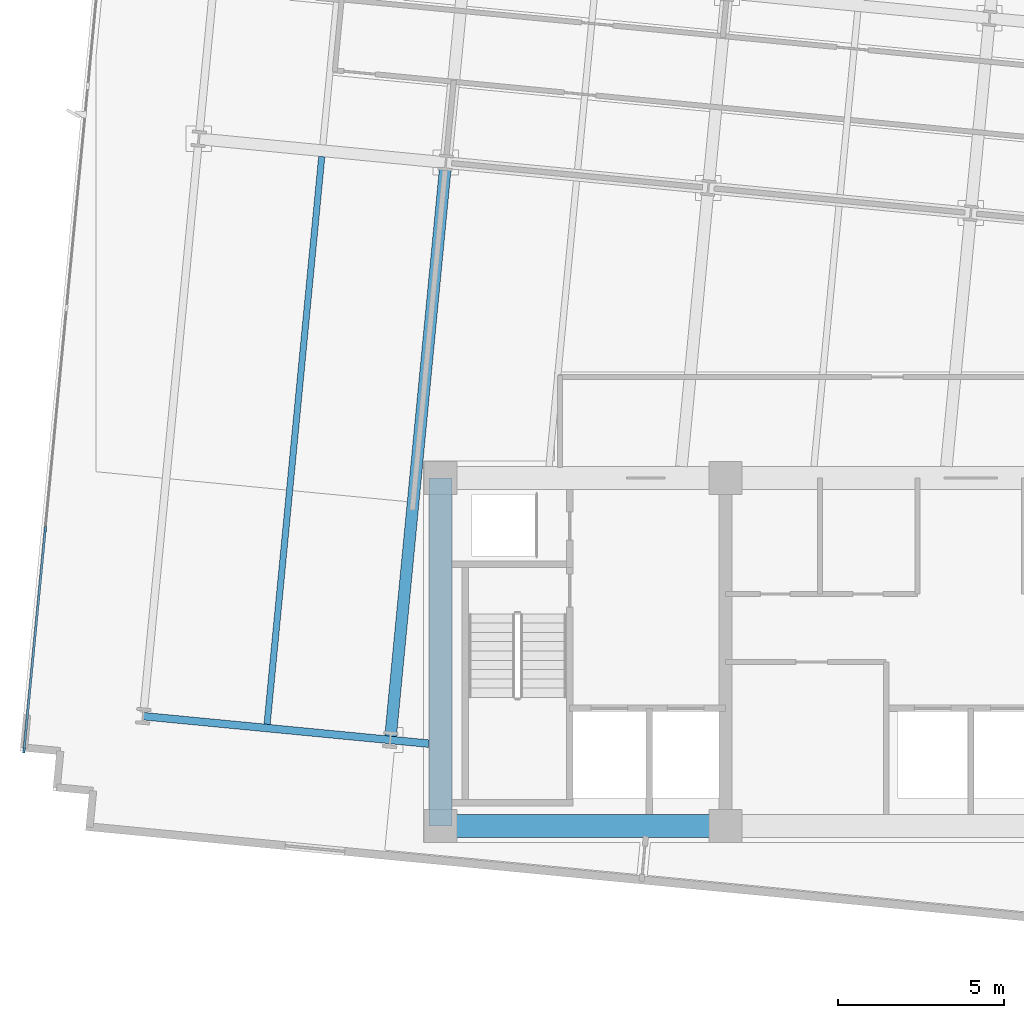
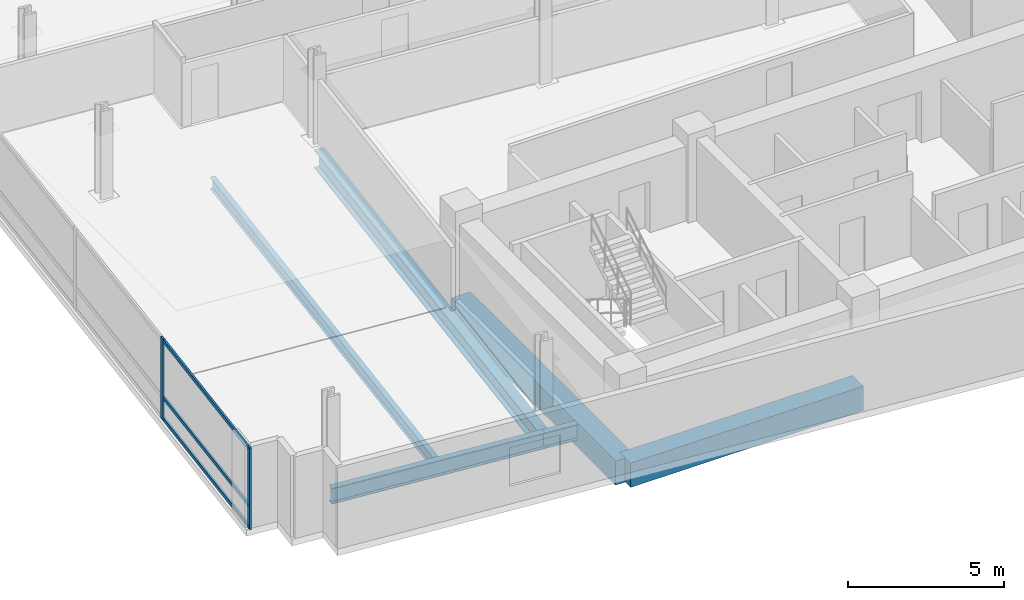
# One storey, part 2 of 16: 6 beams, 5 members, 1 element without a shape of its own.
"""IFC4 building model written with IfcOpenShell, lengths in metres."""

from ifc_helpers import new_model, si_unit, direction, frame, origin, origin_2d, place, context, subcontext, project, spatial, rectangle, i_section, extrude, material, material_profile, profile_set, type_object, element, aggregate, save


model = new_model("IFC4")

# Units and contexts
model_context = context("Model", 3, precision=1e-05, world=origin(), true_north=direction((0.0, 1.0)))
body_context = subcontext(model_context, "Body", "Model", "MODEL_VIEW")
ifc_project = project(units=[si_unit("LENGTHUNIT", "METRE"), si_unit("AREAUNIT", "SQUARE_METRE"), si_unit("VOLUMEUNIT", "CUBIC_METRE"), si_unit("PLANEANGLEUNIT", "RADIAN"), si_unit("MASSUNIT", "GRAM", prefix="KILO")], contexts=[model_context])

# Site, building, storey
site_placement = place(None, origin())
site = spatial("IfcSite", under=ifc_project, at=site_placement, CompositionType="ELEMENT")
building_placement = place(site_placement, origin())
building = spatial("IfcBuilding", under=site, at=building_placement, Name="Solmavex Isthmus Hotel", CompositionType="ELEMENT")
storey_placement = place(building_placement, frame((0.0, 0.0, 160.050048828125)))
storey = spatial("IfcBuildingStorey", under=building, at=storey_placement, Name="L43", CompositionType="ELEMENT", Elevation=160.050048828125)

# Beams
ifc_material_1 = material(Name="Steel ASTM A992 Grade 50", Category="steel")
ifc_material_profile_1 = material_profile(ifc_material_1, i_section(OverallWidth=0.354736328125, OverallDepth=0.695556640625, WebThickness=0.015380859375, FlangeThickness=0.02490234375, FilletRadius=0.017822265625, at=origin_2d()), Name="W27X146")
ifc_profile_set_1 = profile_set([ifc_material_profile_1], Name="Steel ASTM A992 Grade 50")
beam_type_1 = type_object("IfcBeamType", Name="BM-BG-W27X146", PredefinedType="BEAM", material=ifc_profile_set_1)
beam_1_placement = place(storey_placement, frame((-17.503662109375, -10.289306640625, -0.60791015625), z_axis=(0.095840821687, 0.99539667314, 0.0), x_axis=(-0.99539667314, 0.095840821687, 0.0)))
element("IfcBeam", 1, at=beam_1_placement, inside=storey, type_object=beam_type_1, Name="Floor Beam L43-VG24", PredefinedType="BEAM", context=body_context, shape_type="SweptSolid", body=[
    extrude(i_section(OverallWidth=0.354736328125, OverallDepth=0.695556640625, WebThickness=0.015380859375, FlangeThickness=0.02490234375, FilletRadius=0.017822265625, at=origin_2d()), origin(), (0.0, 0.0, 1.0), 17.207275390625),
])
ifc_material_profile_2 = material_profile(ifc_material_1, i_section(OverallWidth=0.1904296875, OverallDepth=0.456787109375, WebThickness=0.009033203125, FlangeThickness=0.014404296875, FilletRadius=0.0126953125, at=origin_2d()), Name="W18X50")
ifc_profile_set_2 = profile_set([ifc_material_profile_2], Name="Steel ASTM A992 Grade 50")
beam_type_2 = type_object("IfcBeamType", Name="BM-BJ-W18X50", PredefinedType="JOIST", material=ifc_profile_set_2)
beam_2_placement = place(storey_placement, frame((-21.23046875, -9.930419921875, -0.488525390625), z_axis=(0.095840821687, 0.99539667314, 0.0), x_axis=(-0.99539667314, 0.095840821687, 0.0)))
element("IfcBeam", 2, at=beam_2_placement, inside=storey, type_object=beam_type_2, Name="Secondary Floor Joist L43-J01", PredefinedType="JOIST", context=body_context, shape_type="SweptSolid", body=[
    extrude(i_section(OverallWidth=0.1904296875, OverallDepth=0.456787109375, WebThickness=0.009033203125, FlangeThickness=0.014404296875, FilletRadius=0.0126953125, at=origin_2d()), origin(), (0.0, 0.0, 1.0), 17.207275390625),
])
ifc_material_2 = material(Name="Concrete C60/75", Category="concrete")
ifc_material_profile_3 = material_profile(ifc_material_2, rectangle(XDim=0.699951171875, YDim=0.949951171875, at=origin_2d()), Name="RC700X950")
ifc_profile_set_3 = profile_set([ifc_material_profile_3], Name="Concrete C60/75")
beam_type_3 = type_object("IfcBeamType", Name="BM-CB-700X950", PredefinedType="BEAM", material=ifc_profile_set_3)
beam_3_placement = place(storey_placement, frame((-16.0, -13.0, -0.735107421875), z_axis=(1.0, 0.0, 0.0), x_axis=(0.0, 1.0, 0.0)))
element("IfcBeam", 3, at=beam_3_placement, inside=storey, type_object=beam_type_3, Name="Core Coupling Beam L43-CB1", PredefinedType="BEAM", context=body_context, shape_type="SweptSolid", body=[
    extrude(rectangle(XDim=0.699951171875, YDim=0.949951171875, at=origin_2d()), origin(), (0.0, 0.0, 1.0), 8.60009765625),
])
beam_4_placement = place(storey_placement, frame((-16.0, -13.0, -0.735107421875), z_axis=(0.0, 1.0, 0.0), x_axis=(-1.0, 0.0, 0.0)))
element("IfcBeam", 4, at=beam_4_placement, inside=storey, type_object=beam_type_3, Name="Core Coupling Beam L43-CB7", PredefinedType="BEAM", context=body_context, shape_type="SweptSolid", body=[
    extrude(rectangle(XDim=0.699951171875, YDim=0.949951171875, at=origin_2d()), origin(), (0.0, 0.0, 1.0), 10.5),
])
ifc_material_profile_4 = material_profile(ifc_material_1, i_section(OverallWidth=0.230224609375, OverallDepth=0.617431640625, WebThickness=0.01318359375, FlangeThickness=0.022216796875, FilletRadius=0.01513671875, at=origin_2d()), Name="W24X94")
ifc_profile_set_4 = profile_set([ifc_material_profile_4], Name="Steel ASTM A992 Grade 50")
beam_type_4 = type_object("IfcBeamType", Name="BM-SP-W24X94", PredefinedType="SPANDREL", material=ifc_profile_set_4)
beam_5_placement = place(storey_placement, frame((-24.96826171875, -9.686279296875, -0.56884765625), z_axis=(0.995395279593, -0.095855293875, 0.0), x_axis=(0.095855293875, 0.995395279593, 0.0)))
element("IfcBeam", 5, at=beam_5_placement, inside=storey, type_object=beam_type_4, Name="Floor Girder L43-UG01", PredefinedType="SPANDREL", context=body_context, shape_type="SweptSolid", body=[
    extrude(i_section(OverallWidth=0.230224609375, OverallDepth=0.617431640625, WebThickness=0.01318359375, FlangeThickness=0.022216796875, FilletRadius=0.01513671875, at=origin_2d()), origin(), (0.0, 0.0, 1.0), 7.488037109375),
])
beam_6_placement = place(storey_placement, frame((-17.5146484375, -10.404052734375, -0.56884765625), z_axis=(0.995402144456, -0.095783979938, 0.0), x_axis=(0.095783979938, 0.995402144456, 0.0)))
element("IfcBeam", 6, at=beam_6_placement, inside=storey, type_object=beam_type_4, Name="Floor Girder L43-UG02", PredefinedType="SPANDREL", context=body_context, shape_type="SweptSolid", body=[
    extrude(i_section(OverallWidth=0.230224609375, OverallDepth=0.617431640625, WebThickness=0.01318359375, FlangeThickness=0.022216796875, FilletRadius=0.01513671875, at=origin_2d()), origin(), (0.0, 0.0, 1.0), 1.169921875),
])

# Curtain wall, members
ifc_material_3 = material(Name="Aluminium alloy 6063-T6", Category="aluminium")
curtain_wall_type = type_object("IfcCurtainWallType", Name="CW-SYS-03", PredefinedType="NOTDEFINED", material=ifc_material_3)
curtain_wall_placement = place(storey_placement, origin())
curtain_wall = element("IfcCurtainWall", 7, at=curtain_wall_placement, inside=storey, type_object=curtain_wall_type, Name="Stick Curtain Wall CWL-L43-W1", PredefinedType="NOTDEFINED")
ifc_material_profile_5 = material_profile(ifc_material_3, rectangle(XDim=0.070068359375, YDim=0.179931640625, at=origin_2d()), Name="CWM-70X180")
ifc_profile_set_5 = profile_set([ifc_material_profile_5], Name="Aluminium alloy 6063-T6")
member_type_1 = type_object("IfcMemberType", Name="CW-SYS-03-MUL", PredefinedType="MULLION", material=ifc_profile_set_5)
member_1_placement = place(storey_placement, frame((-28.56298828125, -10.71142578125, 0.0), z_axis=(0.0, 0.0, 1.0), x_axis=(-0.995396190038, 0.09584583902, 0.0)))
member_1 = element("IfcMember", 8, at=member_1_placement, type_object=member_type_1, Name="CW-03 mullion 1", PredefinedType="MULLION", context=body_context, shape_type="SweptSolid", body=[
    extrude(rectangle(XDim=0.070068359375, YDim=0.179931640625, at=origin_2d()), origin(), (0.0, 0.0, 1.0), 3.18994140625),
])
member_2_placement = place(storey_placement, frame((-27.92236328125, -4.057373046875, 0.0), z_axis=(0.0, 0.0, 1.0), x_axis=(-0.995396190038, 0.09584583902, 0.0)))
member_2 = element("IfcMember", 9, at=member_2_placement, type_object=member_type_1, Name="CW-03 mullion 2", PredefinedType="MULLION", context=body_context, shape_type="SweptSolid", body=[
    extrude(rectangle(XDim=0.070068359375, YDim=0.179931640625, at=origin_2d()), origin(), (0.0, 0.0, 1.0), 3.18994140625),
])
ifc_material_profile_6 = material_profile(ifc_material_3, rectangle(XDim=0.070068359375, YDim=0.139892578125, at=origin_2d()), Name="CWT-70X140")
ifc_profile_set_6 = profile_set([ifc_material_profile_6], Name="Aluminium alloy 6063-T6")
member_type_2 = type_object("IfcMemberType", Name="CW-SYS-03-TRN", PredefinedType="USERDEFINED", material=ifc_profile_set_6)
member_3_placement = place(storey_placement, frame((-28.559814453125, -10.6767578125, 0.070068359375), z_axis=(0.095845316679, 0.995396240334, 0.0), x_axis=(-0.995396240334, 0.095845316679, 0.0)))
member_3 = element("IfcMember", 10, at=member_3_placement, type_object=member_type_2, Name="CW-03 transom 1.1", ObjectType="TRANSOM", PredefinedType="USERDEFINED", context=body_context, shape_type="SweptSolid", body=[
    extrude(rectangle(XDim=0.070068359375, YDim=0.139892578125, at=origin_2d()), origin(), (0.0, 0.0, 1.0), 6.615234375),
])
member_4_placement = place(storey_placement, frame((-28.559814453125, -10.6767578125, 0.89990234375), z_axis=(0.095845316679, 0.995396240334, 0.0), x_axis=(-0.995396240334, 0.095845316679, 0.0)))
member_4 = element("IfcMember", 11, at=member_4_placement, type_object=member_type_2, Name="CW-03 transom 1.2", ObjectType="TRANSOM", PredefinedType="USERDEFINED", context=body_context, shape_type="SweptSolid", body=[
    extrude(rectangle(XDim=0.070068359375, YDim=0.139892578125, at=origin_2d()), origin(), (0.0, 0.0, 1.0), 6.615234375),
])
member_5_placement = place(storey_placement, frame((-28.559814453125, -10.6767578125, 3.119873046875), z_axis=(0.095845316679, 0.995396240334, 0.0), x_axis=(-0.995396240334, 0.095845316679, 0.0)))
member_5 = element("IfcMember", 12, at=member_5_placement, type_object=member_type_2, Name="CW-03 transom 1.3", ObjectType="TRANSOM", PredefinedType="USERDEFINED", context=body_context, shape_type="SweptSolid", body=[
    extrude(rectangle(XDim=0.070068359375, YDim=0.139892578125, at=origin_2d()), origin(), (0.0, 0.0, 1.0), 6.615234375),
])
aggregate(curtain_wall, [member_1, member_2, member_3, member_4, member_5])

save(model, "model.ifc")
